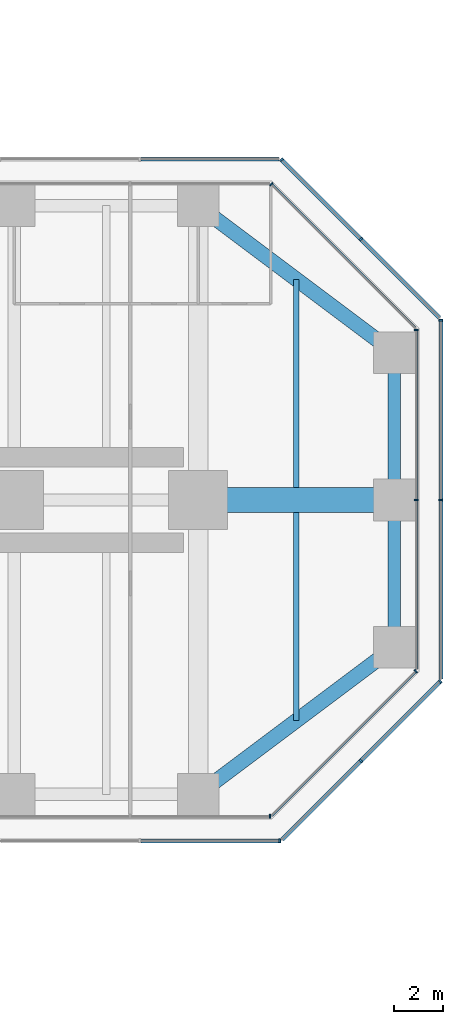
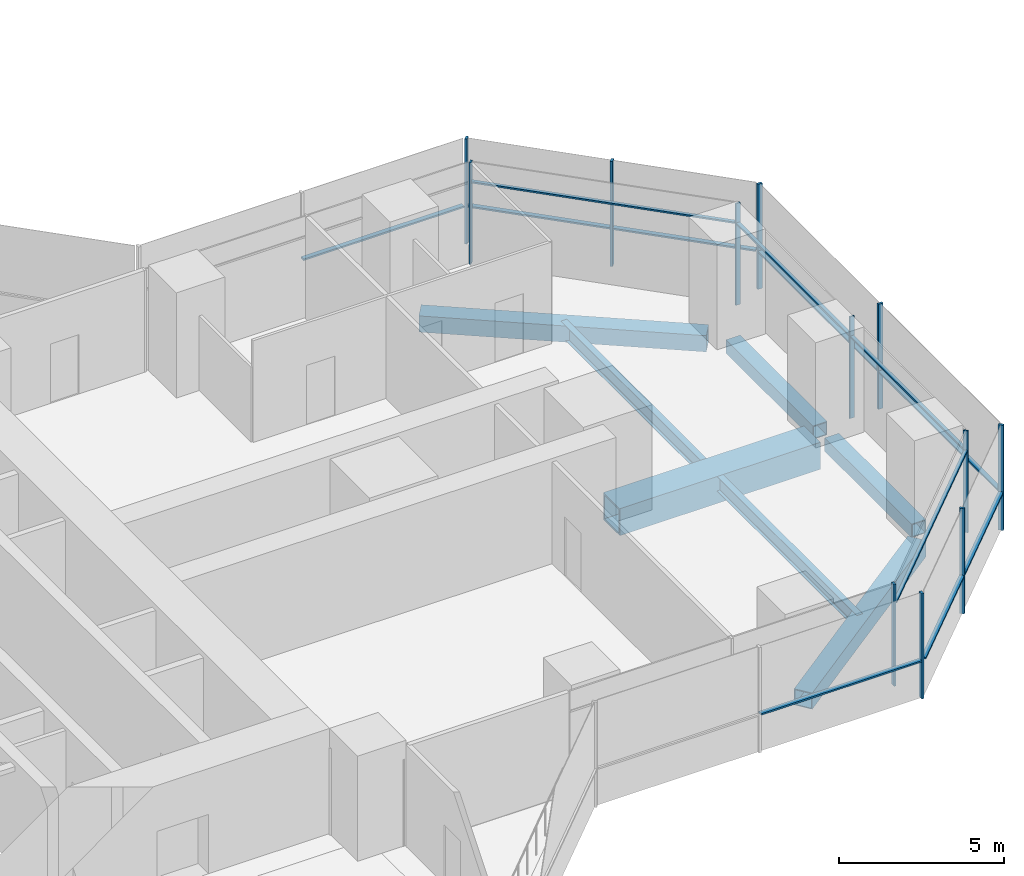
# One storey, part 12 of 22: 24 members, 7 beams, 9 elements without a shape of their own.
"""IFC4 building model written with IfcOpenShell, lengths in metres."""

import ifcopenshell
import ifcopenshell.guid

model = None  # the IFC model being written
_history = None  # IfcOwnerHistory: only IFC2X3 demands one
_inside = {}  # id of a spatial element -> (the spatial element, [elements in it])
_under = {}  # id of a project, library or spatial element -> (it, [spatial elements below it])
_declared = {}  # id of a project -> (the project, [libraries it declares])
_typed = {}  # id of a type object -> (the type object, [elements of that type])
_made_of = {}  # id of a material, layer set ... -> (it, [elements and type objects made of it])


def new_model(schema):
    """Start an empty IFC model of exactly this schema.

    Asked for "IFC4X3", IfcOpenShell would pick the latest addendum, in which some entities
    have other attributes; the version numbers below select the first issue.
    IFC2X3 requires an IfcOwnerHistory on every rooted entity: one is made here for all.
    """
    global model, _history
    if schema == "IFC4X3":
        model = ifcopenshell.file(schema_version=(4, 3, 0, 0))
    else:
        model = ifcopenshell.file(schema=schema)
    _inside.clear()
    _under.clear()
    _declared.clear()
    _typed.clear()
    _made_of.clear()
    _history = None
    if model.schema == "IFC2X3":
        org = make("IfcOrganization", Name="unknown")
        user = make(
            "IfcPersonAndOrganization",
            ThePerson=make("IfcPerson", FamilyName="unknown"),
            TheOrganization=org,
        )
        app = make(
            "IfcApplication",
            ApplicationDeveloper=org,
            Version="unknown",
            ApplicationFullName="unknown",
            ApplicationIdentifier="unknown",
        )
        _history = make(
            "IfcOwnerHistory",
            OwningUser=user,
            OwningApplication=app,
            ChangeAction="ADDED",
            CreationDate=0,
        )
    return model


def make(cls, **values):
    """One entity of the class cls with the attributes given. An attribute that is None is left unset."""
    return model.create_entity(
        cls, **{name: value for name, value in values.items() if value is not None}
    )


def rooted(cls, **values):
    """An entity with a GlobalId (a new one), such as an element, a storey or a relation."""
    return make(cls, GlobalId=ifcopenshell.guid.new(), OwnerHistory=_history, **values)


def si_unit(unit_type, name, prefix=None):
    """IfcSIUnit, for example si_unit("LENGTHUNIT", "METRE", prefix="MILLI")."""
    return make("IfcSIUnit", UnitType=unit_type, Prefix=prefix, Name=name)


def assignment(units):
    """IfcUnitAssignment: the units of a project."""
    return None if units is None else make("IfcUnitAssignment", Units=units)


def point(xyz):
    """IfcCartesianPoint."""
    return None if xyz is None else make("IfcCartesianPoint", Coordinates=xyz)


def direction(xyz):
    """IfcDirection."""
    return None if xyz is None else make("IfcDirection", DirectionRatios=xyz)


def frame(location, z_axis=None, x_axis=None):
    """IfcAxis2Placement3D, a coordinate frame: its origin and axes. An axis left out is left unset."""
    return make(
        "IfcAxis2Placement3D",
        Location=point(location),
        Axis=direction(z_axis),
        RefDirection=direction(x_axis),
    )


def frame_2d(location, x_axis=None):
    """IfcAxis2Placement2D, a coordinate frame in the plane: its origin and x axis."""
    return make(
        "IfcAxis2Placement2D", Location=point(location), RefDirection=direction(x_axis)
    )


def origin():
    """The frame at (0, 0, 0) with its axes left unset."""
    return frame((0.0, 0.0, 0.0))


def origin_2d():
    """The frame at (0, 0) in the plane with its x axis left unset."""
    return frame_2d((0.0, 0.0))


def place(relative_to, where):
    """IfcLocalPlacement: puts the frame where relative to a parent placement (None: the world)."""
    return make(
        "IfcLocalPlacement", PlacementRelTo=relative_to, RelativePlacement=where
    )


def context(
    kind, dimensions, precision=None, world=None, true_north=None, identifier=None
):
    """IfcGeometricRepresentationContext, for example the 3D "Model" context."""
    return make(
        "IfcGeometricRepresentationContext",
        ContextIdentifier=identifier,
        ContextType=kind,
        CoordinateSpaceDimension=dimensions,
        Precision=precision,
        WorldCoordinateSystem=world,
        TrueNorth=true_north,
    )


def subcontext(parent, identifier, kind, view, scale=None):
    """IfcGeometricRepresentationSubContext, for example "Body" below "Model"."""
    return make(
        "IfcGeometricRepresentationSubContext",
        ContextIdentifier=identifier,
        ContextType=kind,
        ParentContext=parent,
        TargetScale=scale,
        TargetView=view,
    )


def project(units=None, contexts=None):
    """IfcProject with its units and contexts."""
    return rooted(
        "IfcProject",
        Name="project",
        RepresentationContexts=contexts,
        UnitsInContext=assignment(units),
    )


def spatial(cls, under=None, at=None, **own):
    """A site, building, storey or space (cls), placed at a placement, below another one or the project."""
    s = rooted(cls, ObjectPlacement=at, **own)
    if under is not None:
        _under.setdefault(under.id(), (under, []))[1].append(s)
    return s


def profile(cls, at=None, kind="AREA", **sizes):
    """A parametric profile (cls). Its sizes go by their IFC names, for example OverallWidth=200.0."""
    return make(cls, ProfileType=kind, Position=at, **sizes)


def rectangle(**sizes):
    """IfcRectangleProfileDef."""
    return profile("IfcRectangleProfileDef", **sizes)


def hollow_rectangle(**sizes):
    """IfcRectangleHollowProfileDef."""
    return profile("IfcRectangleHollowProfileDef", **sizes)


def i_section(**sizes):
    """IfcIShapeProfileDef."""
    return profile("IfcIShapeProfileDef", **sizes)


def extrude(swept, where, along, depth):
    """IfcExtrudedAreaSolid: the profile swept, set in the frame where, extruded along a direction by depth."""
    return make(
        "IfcExtrudedAreaSolid",
        SweptArea=swept,
        Position=where,
        ExtrudedDirection=direction(along),
        Depth=depth,
    )


def shape(context_of_items, identifier, shape_type, items):
    """IfcShapeRepresentation: the items that make up one representation, for example the "Body"."""
    return make(
        "IfcShapeRepresentation",
        ContextOfItems=context_of_items,
        RepresentationIdentifier=identifier,
        RepresentationType=shape_type,
        Items=items,
    )


def material(Name=None, Category=None):
    """IfcMaterial."""
    return make("IfcMaterial", Name=Name, Category=Category)


def material_profile(
    of_material, cross_section, Name=None, Category=None, Priority=None
):
    """IfcMaterialProfile: a cross section and its material."""
    return make(
        "IfcMaterialProfile",
        Name=Name,
        Material=of_material,
        Profile=cross_section,
        Priority=Priority,
        Category=Category,
    )


def profile_set(profiles, Name=None, composite=None):
    """IfcMaterialProfileSet."""
    return make(
        "IfcMaterialProfileSet",
        Name=Name,
        MaterialProfiles=profiles,
        CompositeProfile=composite,
    )


def made_of(thing, what):
    """Note that an element or type object is made of a material, layer set ...; save() writes the relation."""
    if what is not None:
        _made_of.setdefault(what.id(), (what, []))[1].append(thing)
    return thing


def type_object(cls, material=None, **own):
    """A type object (cls), such as IfcWallType, which elements share."""
    return made_of(rooted(cls, **own), material)


def element(
    cls,
    number,
    at=None,
    inside=None,
    cuts=None,
    type_object=None,
    material=None,
    context=None,
    identifier="Body",
    shape_type=None,
    held_by="IfcProductDefinitionShape",
    body=None,
    shapes=None,
    **own,
):
    """One element of the class cls, such as IfcWall. Its Tag is "e" and its number.

    at: its placement. inside: the storey or other place that contains it. cuts: it is an
    opening in that element (IfcRelVoidsElement). A single representation is given by context,
    identifier, shape_type and body (its items); several are given by shapes. held_by: the class
    of the entity that holds the representations. save() writes the other relations.
    """
    e = rooted(cls, Tag="e%d" % number, ObjectPlacement=at, **own)
    if body is not None:
        shapes = [shape(context, identifier, shape_type, body)]
    if shapes is not None:
        e.Representation = make(held_by, Representations=shapes)
    if inside is not None:
        _inside.setdefault(inside.id(), (inside, []))[1].append(e)
    if cuts is not None:
        rooted(
            "IfcRelVoidsElement", RelatingBuildingElement=cuts, RelatedOpeningElement=e
        )
    if type_object is not None:
        _typed.setdefault(type_object.id(), (type_object, []))[1].append(e)
    return made_of(e, material)


def aggregate(whole, parts):
    """IfcRelAggregates: a whole, such as a stair, and the parts it consists of."""
    return rooted("IfcRelAggregates", RelatingObject=whole, RelatedObjects=parts)


def save(model, path):
    """Write the relations noted so far, then the file.

    IfcRelAggregates (storeys below a building ...), IfcRelContainedInSpatialStructure (elements
    in a storey), IfcRelDefinesByType, IfcRelAssociatesMaterial and IfcRelDeclares: one each for
    every whole, place, type object, material and project.
    """
    for whole, parts in _under.values():
        aggregate(whole, parts)
    for where, things in _inside.values():
        rooted(
            "IfcRelContainedInSpatialStructure",
            RelatedElements=things,
            RelatingStructure=where,
        )
    for kind, things in _typed.values():
        rooted("IfcRelDefinesByType", RelatedObjects=things, RelatingType=kind)
    for what, things in _made_of.values():
        rooted("IfcRelAssociatesMaterial", RelatedObjects=things, RelatingMaterial=what)
    for by, libraries in _declared.values():
        rooted("IfcRelDeclares", RelatingContext=by, RelatedDefinitions=libraries)
    model.write(path)


model = new_model("IFC4")

# Units and contexts
model_context = context("Model", 3, precision=1e-05, world=origin(), true_north=direction((0.0, 1.0)))
body_context = subcontext(model_context, "Body", "Model", "MODEL_VIEW")
ifc_project = project(units=[si_unit("LENGTHUNIT", "METRE"), si_unit("AREAUNIT", "SQUARE_METRE"), si_unit("VOLUMEUNIT", "CUBIC_METRE"), si_unit("PLANEANGLEUNIT", "RADIAN"), si_unit("MASSUNIT", "GRAM", prefix="KILO")], contexts=[model_context])

# Site, building, storey
site_placement = place(None, origin())
site = spatial("IfcSite", under=ifc_project, at=site_placement, CompositionType="ELEMENT")
building_placement = place(site_placement, origin())
building = spatial("IfcBuilding", under=site, at=building_placement, Name="Mizan Broadcast Tower", CompositionType="ELEMENT")
storey_placement = place(building_placement, frame((0.0, 0.0, 98.10009765625)))
storey = spatial("IfcBuildingStorey", under=building, at=storey_placement, Name="L21", CompositionType="ELEMENT", Elevation=98.10009765625)

# Beams
ifc_material_1 = material(Name="Steel S355", Category="steel")
ifc_material_profile_1 = material_profile(ifc_material_1, hollow_rectangle(XDim=0.5, YDim=0.5, WallThickness=0.030029296875, at=origin_2d()), Name="BOX 500x500x30")
ifc_profile_set_1 = profile_set([ifc_material_profile_1], Name="Steel S355")
beam_type_1 = type_object("IfcBeamType", Name="EDGE BEAM BOX 500x500x30", PredefinedType="SPANDREL", material=ifc_profile_set_1)
for number, where, z_axis, x_axis, name in (
    (1, (35.0, -5.639892578125, -0.380126953125), (0.0, 1.0, 0.0), (-1.0, 0.0, 0.0), "Edge beam BOX 500x500x30 L21 east arm"),
    (2, (35.0, 5.639892578125, -0.380126953125), (0.0, -1.0, 0.0), (1.0, 0.0, 0.0), "Edge beam BOX 500x500x30 L21 east arm"),
):
    element("IfcBeam", number, at=place(storey_placement, frame(where, z_axis=z_axis, x_axis=x_axis)), inside=storey, type_object=beam_type_1, Name=name, PredefinedType="SPANDREL", context=body_context, shape_type="SweptSolid", body=[
        extrude(hollow_rectangle(XDim=0.5, YDim=0.5, WallThickness=0.030029296875, at=origin_2d()), origin(), (0.0, 0.0, 1.0), 5.27978515625),
    ])
ifc_material_2 = material(Name="Steel S355", Category="steel")
ifc_material_profile_2 = material_profile(ifc_material_2, hollow_rectangle(XDim=0.60009765625, YDim=0.60009765625, WallThickness=0.030029296875, at=origin_2d()), Name="BOX 600x600x30")
ifc_profile_set_2 = profile_set([ifc_material_profile_2], Name="Steel S355")
beam_type_2 = type_object("IfcBeamType", Name="EDGE BEAM BOX 600x600x30", PredefinedType="SPANDREL", material=ifc_profile_set_2)
for number, where, z_axis, x_axis, name in (
    (3, (27.47998046875, -11.639892578125, -0.43017578125), (0.800013316712, 0.599982243973, 0.0), (-0.599982243973, 0.800013316712, 0.0), "Edge beam BOX 600x600x30 L21 east arm"),
    (4, (27.47998046875, 11.639892578125, -0.43017578125), (0.800013316712, -0.599982243973, 0.0), (0.599982243973, 0.800013316712, 0.0), "Edge beam BOX 600x600x30 L21 east arm"),
):
    element("IfcBeam", number, at=place(storey_placement, frame(where, z_axis=z_axis, x_axis=x_axis)), inside=storey, type_object=beam_type_2, Name=name, PredefinedType="SPANDREL", context=body_context, shape_type="SweptSolid", body=[
        extrude(hollow_rectangle(XDim=0.60009765625, YDim=0.60009765625, WallThickness=0.030029296875, at=origin_2d()), origin(), (0.0, 0.0, 1.0), 8.7998046875),
    ])
ifc_material_3 = material(Name="Steel S460", Category="steel")
ifc_material_profile_3 = material_profile(ifc_material_3, hollow_rectangle(XDim=1.0, YDim=1.0, WallThickness=0.06005859375, at=origin_2d()), Name="BOX 1000x1000x60")
ifc_profile_set_3 = profile_set([ifc_material_profile_3], Name="Steel S460")
beam_type_3 = type_object("IfcBeamType", Name="GIRDER BOX 1000x1000x60", PredefinedType="BEAM", material=ifc_profile_set_3)
beam_placement = place(storey_placement, frame((27.47998046875, 0.0, -0.630126953125), z_axis=(1.0, 0.0, 0.0), x_axis=(0.0, 1.0, 0.0)))
element("IfcBeam", 5, at=beam_placement, inside=storey, type_object=beam_type_3, Name="Girder BOX 1000x1000x60 L21 east arm", PredefinedType="BEAM", context=body_context, shape_type="SweptSolid", body=[
    extrude(hollow_rectangle(XDim=1.0, YDim=1.0, WallThickness=0.06005859375, at=origin_2d()), origin(), (0.0, 0.0, 1.0), 7.0400390625),
])

# Curtain wall, member
ifc_material_4 = material(Name="Aluminium framed glazing", Category="aluminium")
curtain_wall_type_1 = type_object("IfcCurtainWallType", Name="INNER SKIN LOW ZONE", PredefinedType="USERDEFINED", material=ifc_material_4)
curtain_wall_1_placement = place(storey_placement, origin())
curtain_wall_1 = element("IfcCurtainWall", 6, at=curtain_wall_1_placement, inside=storey, type_object=curtain_wall_type_1, Name="Inner skin low zone L21 E side", ObjectType="INNER SKIN LOW ZONE", PredefinedType="USERDEFINED")
ifc_material_5 = material(Name="Aluminium, pale anodised", Category="aluminium")
ifc_material_profile_4 = material_profile(ifc_material_5, rectangle(XDim=0.159912109375, YDim=0.06005859375, at=origin_2d()), Name="MULLION 160x60")
ifc_profile_set_4 = profile_set([ifc_material_profile_4], Name="Aluminium, pale anodised")
member_type_1 = type_object("IfcMemberType", Name="INNER SKIN MULLION 60x160", PredefinedType="MULLION", material=ifc_profile_set_4)
member_1_placement = place(storey_placement, frame((29.928466796875, -12.89990234375, 0.0), z_axis=(0.0, 0.0, 1.0), x_axis=(0.0, 1.0, 0.0)))
member_1 = element("IfcMember", 7, at=member_1_placement, type_object=member_type_1, Name="Inner skin low zone L21 E side mullion 3", PredefinedType="MULLION", context=body_context, shape_type="SweptSolid", body=[
    extrude(rectangle(XDim=0.159912109375, YDim=0.06005859375, at=origin_2d()), origin(), (0.0, 0.0, 1.0), 3.77001953125),
])
aggregate(curtain_wall_1, [member_1])

curtain_wall_2_placement = place(storey_placement, origin())
curtain_wall_2 = element("IfcCurtainWall", 8, at=curtain_wall_2_placement, inside=storey, type_object=curtain_wall_type_1, Name="Inner skin low zone L21 E chamfer", ObjectType="INNER SKIN LOW ZONE", PredefinedType="USERDEFINED")
member_2_placement = place(storey_placement, frame((35.87890625, -6.979736328125, 0.0), z_axis=(0.0, 0.0, 1.0), x_axis=(-0.707106781187, 0.707106781187, 0.0)))
member_2 = element("IfcMember", 9, at=member_2_placement, type_object=member_type_1, Name="Inner skin low zone L21 E chamfer mullion 2", PredefinedType="MULLION", context=body_context, shape_type="SweptSolid", body=[
    extrude(rectangle(XDim=0.159912109375, YDim=0.06005859375, at=origin_2d()), origin(), (0.0, 0.0, 1.0), 3.77001953125),
])

# Curtain wall, members
curtain_wall_3_placement = place(storey_placement, origin())
curtain_wall_3 = element("IfcCurtainWall", 10, at=curtain_wall_3_placement, inside=storey, type_object=curtain_wall_type_1, Name="Inner skin low zone L21 E end", ObjectType="INNER SKIN LOW ZONE", PredefinedType="USERDEFINED")
member_3_placement = place(storey_placement, frame((35.89990234375, 0.0, 0.0), z_axis=(0.0, 0.0, 1.0), x_axis=(-1.0, 0.0, 0.0)))
member_3 = element("IfcMember", 11, at=member_3_placement, type_object=member_type_1, Name="Inner skin low zone L21 E end mullion 2", PredefinedType="MULLION", context=body_context, shape_type="SweptSolid", body=[
    extrude(rectangle(XDim=0.159912109375, YDim=0.06005859375, at=origin_2d()), origin(), (0.0, 0.0, 1.0), 3.77001953125),
])
member_4_placement = place(storey_placement, frame((35.89990234375, 6.928466796875, 0.0), z_axis=(0.0, 0.0, 1.0), x_axis=(-1.0, 0.0, 0.0)))
member_4 = element("IfcMember", 12, at=member_4_placement, type_object=member_type_1, Name="Inner skin low zone L21 E end mullion 3", PredefinedType="MULLION", context=body_context, shape_type="SweptSolid", body=[
    extrude(rectangle(XDim=0.159912109375, YDim=0.06005859375, at=origin_2d()), origin(), (0.0, 0.0, 1.0), 3.77001953125),
])

# Curtain wall, member
curtain_wall_4_placement = place(storey_placement, origin())
curtain_wall_4 = element("IfcCurtainWall", 13, at=curtain_wall_4_placement, inside=storey, type_object=curtain_wall_type_1, Name="Inner skin low zone L21 E chamfer", ObjectType="INNER SKIN LOW ZONE", PredefinedType="USERDEFINED")
member_5_placement = place(storey_placement, frame((29.979736328125, 12.87890625, 0.0), z_axis=(0.0, 0.0, 1.0), x_axis=(-0.707106781187, -0.707106781187, 0.0)))
member_5 = element("IfcMember", 14, at=member_5_placement, type_object=member_type_1, Name="Inner skin low zone L21 E chamfer mullion 2", PredefinedType="MULLION", context=body_context, shape_type="SweptSolid", body=[
    extrude(rectangle(XDim=0.159912109375, YDim=0.06005859375, at=origin_2d()), origin(), (0.0, 0.0, 1.0), 3.77001953125),
])

# Member
ifc_material_6 = material(Name="Aluminium, pale anodised", Category="aluminium")
ifc_material_profile_5 = material_profile(ifc_material_6, rectangle(XDim=0.1201171875, YDim=0.06005859375, at=origin_2d()), Name="TRANSOM 120x60")
ifc_profile_set_5 = profile_set([ifc_material_profile_5], Name="Aluminium, pale anodised")
member_type_2 = type_object("IfcMemberType", Name="INNER SKIN TRANSOM 60x120", PredefinedType="USERDEFINED", material=ifc_profile_set_5)
member_6_placement = place(storey_placement, frame((30.0009765625, -12.857666015625, 3.02978515625), z_axis=(0.707106781187, 0.707106781187, 0.0), x_axis=(-0.707106781187, 0.707106781187, 0.0)))
member_6 = element("IfcMember", 15, at=member_6_placement, type_object=member_type_2, Name="Inner skin low zone L21 E chamfer transom 1.1", ObjectType="TRANSOM", PredefinedType="USERDEFINED", context=body_context, shape_type="SweptSolid", body=[
    extrude(rectangle(XDim=0.1201171875, YDim=0.06005859375, at=origin_2d()), origin(), (0.0, 0.0, 1.0), 8.28271484375),
])

aggregate(curtain_wall_2, [member_2, member_6])

member_7_placement = place(storey_placement, frame((35.89990234375, -6.898681640625, 3.02978515625), z_axis=(0.0, 1.0, 0.0), x_axis=(-1.0, 0.0, 0.0)))
member_7 = element("IfcMember", 16, at=member_7_placement, type_object=member_type_2, Name="Inner skin low zone L21 E end transom 1.1", ObjectType="TRANSOM", PredefinedType="USERDEFINED", context=body_context, shape_type="SweptSolid", body=[
    extrude(rectangle(XDim=0.1201171875, YDim=0.06005859375, at=origin_2d()), origin(), (0.0, 0.0, 1.0), 6.86865234375),
])

member_8_placement = place(storey_placement, frame((35.89990234375, 0.030029296875, 3.02978515625), z_axis=(0.0, 1.0, 0.0), x_axis=(-1.0, 0.0, 0.0)))
member_8 = element("IfcMember", 17, at=member_8_placement, type_object=member_type_2, Name="Inner skin low zone L21 E end transom 2.1", ObjectType="TRANSOM", PredefinedType="USERDEFINED", context=body_context, shape_type="SweptSolid", body=[
    extrude(rectangle(XDim=0.1201171875, YDim=0.06005859375, at=origin_2d()), origin(), (0.0, 0.0, 1.0), 6.86865234375),
])

aggregate(curtain_wall_3, [member_3, member_4, member_7, member_8])

member_9_placement = place(storey_placement, frame((35.857666015625, 7.0009765625, 3.02978515625), z_axis=(-0.707106781187, 0.707106781187, 0.0), x_axis=(-0.707106781187, -0.707106781187, 0.0)))
member_9 = element("IfcMember", 18, at=member_9_placement, type_object=member_type_2, Name="Inner skin low zone L21 E chamfer transom 1.1", ObjectType="TRANSOM", PredefinedType="USERDEFINED", context=body_context, shape_type="SweptSolid", body=[
    extrude(rectangle(XDim=0.1201171875, YDim=0.06005859375, at=origin_2d()), origin(), (0.0, 0.0, 1.0), 8.28271484375),
])

aggregate(curtain_wall_4, [member_5, member_9])

# Curtain wall, members
ifc_material_7 = material(Name="Aluminium framed glazing", Category="aluminium")
curtain_wall_type_2 = type_object("IfcCurtainWallType", Name="OUTER SKIN", PredefinedType="USERDEFINED", material=ifc_material_7)
curtain_wall_5_placement = place(storey_placement, origin())
curtain_wall_5 = element("IfcCurtainWall", 19, at=curtain_wall_5_placement, inside=storey, type_object=curtain_wall_type_2, Name="Outer skin L21 E chamfer", ObjectType="OUTER SKIN", PredefinedType="USERDEFINED")
ifc_material_8 = material(Name="Aluminium, pale anodised", Category="aluminium")
ifc_material_profile_6 = material_profile(ifc_material_8, rectangle(XDim=0.159912109375, YDim=0.080078125, at=origin_2d()), Name="MULLION 160x80")
ifc_profile_set_6 = profile_set([ifc_material_profile_6], Name="Aluminium, pale anodised")
member_type_3 = type_object("IfcMemberType", Name="OUTER SKIN MULLION 80x160", PredefinedType="MULLION", material=ifc_profile_set_6)
member_10_placement = place(storey_placement, frame((33.636474609375, -10.636474609375, 0.0), z_axis=(0.0, 0.0, 1.0), x_axis=(-0.707106781187, 0.707106781187, 0.0)))
member_10 = element("IfcMember", 20, at=member_10_placement, type_object=member_type_3, Name="Outer skin L21 E chamfer mullion 2", PredefinedType="MULLION", context=body_context, shape_type="SweptSolid", body=[
    extrude(rectangle(XDim=0.159912109375, YDim=0.080078125, at=origin_2d()), origin(), (0.0, 0.0, 1.0), 3.89990234375),
])
member_11_placement = place(storey_placement, frame((36.871826171875, -7.401123046875, 0.0), z_axis=(0.0, 0.0, 1.0), x_axis=(-0.707106781187, 0.707106781187, 0.0)))
member_11 = element("IfcMember", 21, at=member_11_placement, type_object=member_type_3, Name="Outer skin L21 E chamfer mullion 3", PredefinedType="MULLION", context=body_context, shape_type="SweptSolid", body=[
    extrude(rectangle(XDim=0.159912109375, YDim=0.080078125, at=origin_2d()), origin(), (0.0, 0.0, 1.0), 3.89990234375),
])

curtain_wall_6_placement = place(storey_placement, origin())
curtain_wall_6 = element("IfcCurtainWall", 22, at=curtain_wall_6_placement, inside=storey, type_object=curtain_wall_type_2, Name="Outer skin L21 E end", ObjectType="OUTER SKIN", PredefinedType="USERDEFINED")
member_12_placement = place(storey_placement, frame((36.89990234375, 0.0, 0.0), z_axis=(0.0, 0.0, 1.0), x_axis=(-1.0, 0.0, 0.0)))
member_12 = element("IfcMember", 23, at=member_12_placement, type_object=member_type_3, Name="Outer skin L21 E end mullion 2", PredefinedType="MULLION", context=body_context, shape_type="SweptSolid", body=[
    extrude(rectangle(XDim=0.159912109375, YDim=0.080078125, at=origin_2d()), origin(), (0.0, 0.0, 1.0), 3.89990234375),
])
member_13_placement = place(storey_placement, frame((36.89990234375, 7.332763671875, 0.0), z_axis=(0.0, 0.0, 1.0), x_axis=(-1.0, 0.0, 0.0)))
member_13 = element("IfcMember", 24, at=member_13_placement, type_object=member_type_3, Name="Outer skin L21 E end mullion 3", PredefinedType="MULLION", context=body_context, shape_type="SweptSolid", body=[
    extrude(rectangle(XDim=0.159912109375, YDim=0.080078125, at=origin_2d()), origin(), (0.0, 0.0, 1.0), 3.89990234375),
])

curtain_wall_7_placement = place(storey_placement, origin())
curtain_wall_7 = element("IfcCurtainWall", 25, at=curtain_wall_7_placement, inside=storey, type_object=curtain_wall_type_2, Name="Outer skin L21 E chamfer", ObjectType="OUTER SKIN", PredefinedType="USERDEFINED")
member_14_placement = place(storey_placement, frame((33.636474609375, 10.636474609375, 0.0), z_axis=(0.0, 0.0, 1.0), x_axis=(-0.707106781187, -0.707106781187, 0.0)))
member_14 = element("IfcMember", 26, at=member_14_placement, type_object=member_type_3, Name="Outer skin L21 E chamfer mullion 2", PredefinedType="MULLION", context=body_context, shape_type="SweptSolid", body=[
    extrude(rectangle(XDim=0.159912109375, YDim=0.080078125, at=origin_2d()), origin(), (0.0, 0.0, 1.0), 3.89990234375),
])
member_15_placement = place(storey_placement, frame((30.401123046875, 13.871826171875, 0.0), z_axis=(0.0, 0.0, 1.0), x_axis=(-0.707106781187, -0.707106781187, 0.0)))
member_15 = element("IfcMember", 27, at=member_15_placement, type_object=member_type_3, Name="Outer skin L21 E chamfer mullion 3", PredefinedType="MULLION", context=body_context, shape_type="SweptSolid", body=[
    extrude(rectangle(XDim=0.159912109375, YDim=0.080078125, at=origin_2d()), origin(), (0.0, 0.0, 1.0), 3.89990234375),
])

# Curtain wall, member
curtain_wall_8_placement = place(storey_placement, origin())
curtain_wall_8 = element("IfcCurtainWall", 28, at=curtain_wall_8_placement, inside=storey, type_object=curtain_wall_type_2, Name="Outer skin L21 E side", ObjectType="OUTER SKIN", PredefinedType="USERDEFINED")
member_16_placement = place(storey_placement, frame((30.332763671875, -13.89990234375, 0.0), z_axis=(0.0, 0.0, 1.0), x_axis=(0.0, 1.0, 0.0)))
member_16 = element("IfcMember", 29, at=member_16_placement, type_object=member_type_3, Name="Outer skin L21 E side mullion 3", PredefinedType="MULLION", context=body_context, shape_type="SweptSolid", body=[
    extrude(rectangle(XDim=0.159912109375, YDim=0.080078125, at=origin_2d()), origin(), (0.0, 0.0, 1.0), 3.89990234375),
])

# Member
ifc_material_9 = material(Name="Aluminium, pale anodised", Category="aluminium")
ifc_material_profile_7 = material_profile(ifc_material_9, rectangle(XDim=0.159912109375, YDim=0.06005859375, at=origin_2d()), Name="TRANSOM 160x60")
ifc_profile_set_7 = profile_set([ifc_material_profile_7], Name="Aluminium, pale anodised")
member_type_4 = type_object("IfcMemberType", Name="OUTER SKIN TRANSOM 60x160", PredefinedType="USERDEFINED", material=ifc_profile_set_7)
member_17_placement = place(storey_placement, frame((30.429443359375, -13.843505859375, 1.39990234375), z_axis=(0.707106781187, 0.707106781187, 0.0), x_axis=(-0.707106781187, 0.707106781187, 0.0)))
member_17 = element("IfcMember", 30, at=member_17_placement, type_object=member_type_4, Name="Outer skin L21 E chamfer transom 1.1", ObjectType="TRANSOM", PredefinedType="USERDEFINED", context=body_context, shape_type="SweptSolid", body=[
    extrude(rectangle(XDim=0.159912109375, YDim=0.06005859375, at=origin_2d()), origin(), (0.0, 0.0, 1.0), 4.495361328125),
])

member_18_placement = place(storey_placement, frame((33.664794921875, -10.608154296875, 1.39990234375), z_axis=(0.707106781187, 0.707106781187, 0.0), x_axis=(-0.707106781187, 0.707106781187, 0.0)))
member_18 = element("IfcMember", 31, at=member_18_placement, type_object=member_type_4, Name="Outer skin L21 E chamfer transom 2.1", ObjectType="TRANSOM", PredefinedType="USERDEFINED", context=body_context, shape_type="SweptSolid", body=[
    extrude(rectangle(XDim=0.159912109375, YDim=0.06005859375, at=origin_2d()), origin(), (0.0, 0.0, 1.0), 4.495361328125),
])

aggregate(curtain_wall_5, [member_10, member_11, member_17, member_18])

member_19_placement = place(storey_placement, frame((36.89990234375, -7.292724609375, 1.39990234375), z_axis=(0.0, 1.0, 0.0), x_axis=(-1.0, 0.0, 0.0)))
member_19 = element("IfcMember", 32, at=member_19_placement, type_object=member_type_4, Name="Outer skin L21 E end transom 1.1", ObjectType="TRANSOM", PredefinedType="USERDEFINED", context=body_context, shape_type="SweptSolid", body=[
    extrude(rectangle(XDim=0.159912109375, YDim=0.06005859375, at=origin_2d()), origin(), (0.0, 0.0, 1.0), 7.252685546875),
])

member_20_placement = place(storey_placement, frame((36.89990234375, 0.0400390625, 1.39990234375), z_axis=(0.0, 1.0, 0.0), x_axis=(-1.0, 0.0, 0.0)))
member_20 = element("IfcMember", 33, at=member_20_placement, type_object=member_type_4, Name="Outer skin L21 E end transom 2.1", ObjectType="TRANSOM", PredefinedType="USERDEFINED", context=body_context, shape_type="SweptSolid", body=[
    extrude(rectangle(XDim=0.159912109375, YDim=0.06005859375, at=origin_2d()), origin(), (0.0, 0.0, 1.0), 7.252685546875),
])

aggregate(curtain_wall_6, [member_12, member_13, member_19, member_20])

member_21_placement = place(storey_placement, frame((36.843505859375, 7.429443359375, 1.39990234375), z_axis=(-0.707106781187, 0.707106781187, 0.0), x_axis=(-0.707106781187, -0.707106781187, 0.0)))
member_21 = element("IfcMember", 34, at=member_21_placement, type_object=member_type_4, Name="Outer skin L21 E chamfer transom 1.1", ObjectType="TRANSOM", PredefinedType="USERDEFINED", context=body_context, shape_type="SweptSolid", body=[
    extrude(rectangle(XDim=0.159912109375, YDim=0.06005859375, at=origin_2d()), origin(), (0.0, 0.0, 1.0), 4.495361328125),
])

member_22_placement = place(storey_placement, frame((33.608154296875, 10.664794921875, 1.39990234375), z_axis=(-0.707106781187, 0.707106781187, 0.0), x_axis=(-0.707106781187, -0.707106781187, 0.0)))
member_22 = element("IfcMember", 35, at=member_22_placement, type_object=member_type_4, Name="Outer skin L21 E chamfer transom 2.1", ObjectType="TRANSOM", PredefinedType="USERDEFINED", context=body_context, shape_type="SweptSolid", body=[
    extrude(rectangle(XDim=0.159912109375, YDim=0.06005859375, at=origin_2d()), origin(), (0.0, 0.0, 1.0), 4.495361328125),
])

aggregate(curtain_wall_7, [member_14, member_15, member_21, member_22])

# Curtain wall, member
curtain_wall_9_placement = place(storey_placement, origin())
curtain_wall_9 = element("IfcCurtainWall", 36, at=curtain_wall_9_placement, inside=storey, type_object=curtain_wall_type_2, Name="Outer skin L21 E side", ObjectType="OUTER SKIN", PredefinedType="USERDEFINED")
member_23_placement = place(storey_placement, frame((30.292724609375, 13.89990234375, 1.39990234375), z_axis=(-1.0, 0.0, 0.0), x_axis=(0.0, -1.0, 0.0)))
member_23 = element("IfcMember", 37, at=member_23_placement, type_object=member_type_4, Name="Outer skin L21 E side transom 1.1", ObjectType="TRANSOM", PredefinedType="USERDEFINED", context=body_context, shape_type="SweptSolid", body=[
    extrude(rectangle(XDim=0.159912109375, YDim=0.06005859375, at=origin_2d()), origin(), (0.0, 0.0, 1.0), 5.6298828125),
])
aggregate(curtain_wall_9, [member_23])

# Member
member_24_placement = place(storey_placement, frame((24.662841796875, -13.89990234375, 1.39990234375), z_axis=(1.0, 0.0, 0.0), x_axis=(0.0, 1.0, 0.0)))
member_24 = element("IfcMember", 38, at=member_24_placement, type_object=member_type_4, Name="Outer skin L21 E side transom 2.1", ObjectType="TRANSOM", PredefinedType="USERDEFINED", context=body_context, shape_type="SweptSolid", body=[
    extrude(rectangle(XDim=0.159912109375, YDim=0.06005859375, at=origin_2d()), origin(), (0.0, 0.0, 1.0), 5.6298828125),
])

aggregate(curtain_wall_8, [member_16, member_24])

# Beams
ifc_material_10 = material(Name="Steel S355", Category="steel")
ifc_material_profile_8 = material_profile(ifc_material_10, i_section(OverallWidth=0.2099609375, OverallDepth=0.550048828125, WebThickness=0.010986328125, FlangeThickness=0.01708984375, FilletRadius=0.02392578125, at=origin_2d()), Name="IPE 550")
ifc_profile_set_8 = profile_set([ifc_material_profile_8], Name="Steel S355")
beam_type_4 = type_object("IfcBeamType", Name="SECONDARY BEAM IPE 550", PredefinedType="JOIST", material=ifc_profile_set_8)
for number, where, z_axis, x_axis, name in (
    (39, (31.0, -9.0, -0.405029296875), (0.0, 1.0, 0.0), (-1.0, 0.0, 0.0), "Secondary beam IPE 550 L21 east arm"),
    (40, (31.0, 9.0, -0.405029296875), (0.0, -1.0, 0.0), (1.0, 0.0, 0.0), "Secondary beam IPE 550 L21 east arm"),
):
    element("IfcBeam", number, at=place(storey_placement, frame(where, z_axis=z_axis, x_axis=x_axis)), inside=storey, type_object=beam_type_4, Name=name, PredefinedType="JOIST", context=body_context, shape_type="SweptSolid", body=[
        extrude(i_section(OverallWidth=0.2099609375, OverallDepth=0.550048828125, WebThickness=0.010986328125, FlangeThickness=0.01708984375, FilletRadius=0.02392578125, at=origin_2d()), origin(), (0.0, 0.0, 1.0), 8.5),
    ])

save(model, "model.ifc")
